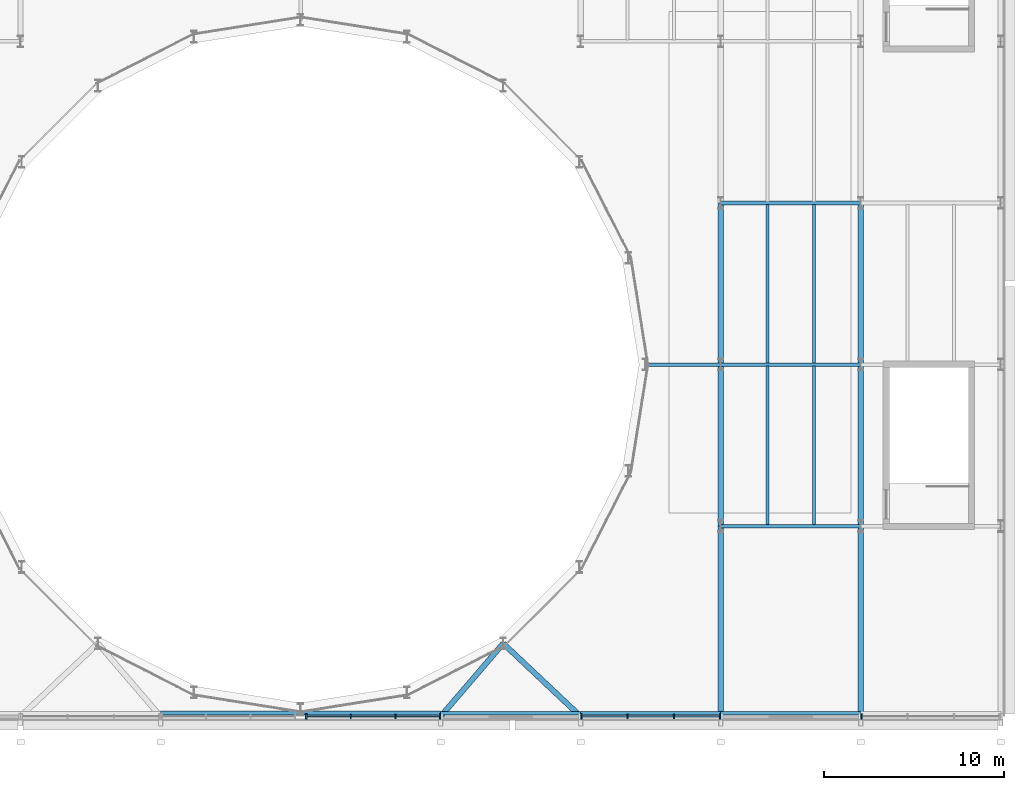
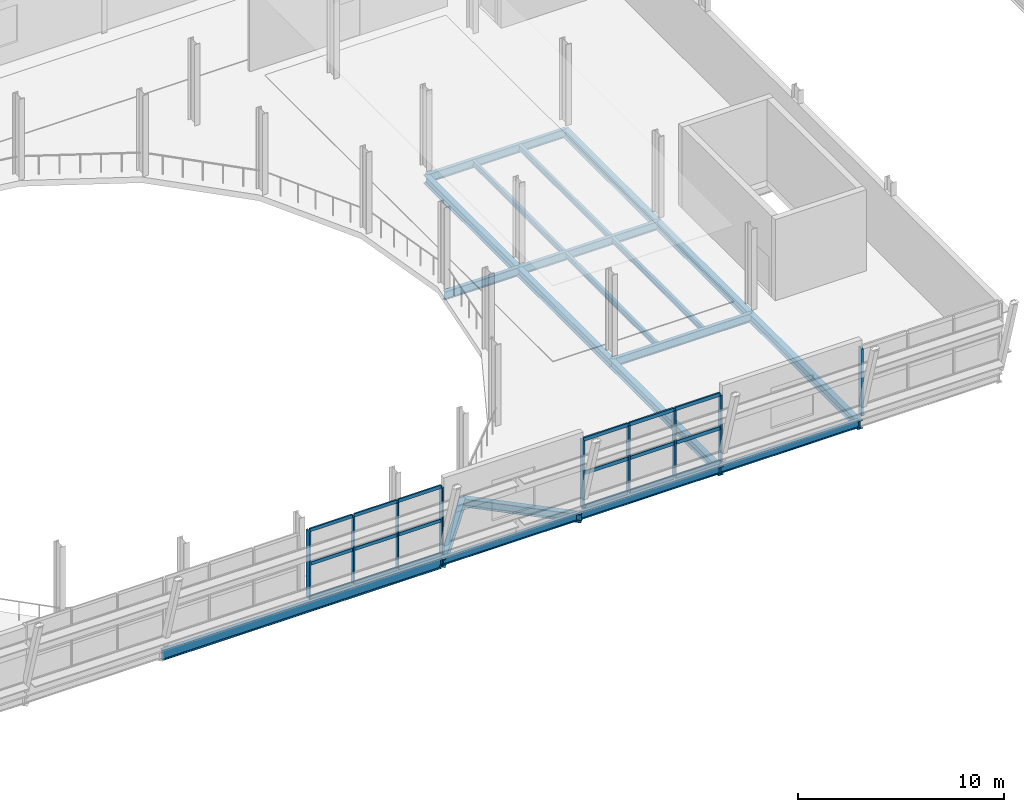
# One storey, part 19 of 63: 27 members, 20 beams, 3 elements without a shape of their own.
"""IFC4 building model written with IfcOpenShell, lengths in metres."""

from ifc_helpers import new_model, si_unit, direction, frame, origin, origin_2d, place, context, subcontext, project, spatial, rectangle, i_section, extrude, material, layer, layer_set, material_profile, profile_set, type_object, element, aggregate, save


model = new_model("IFC4")

# Units and contexts
model_context = context("Model", 3, precision=1e-05, world=origin(), true_north=direction((0.0, 1.0)))
body_context = subcontext(model_context, "Body", "Model", "MODEL_VIEW")
ifc_project = project(units=[si_unit("LENGTHUNIT", "METRE"), si_unit("AREAUNIT", "SQUARE_METRE"), si_unit("VOLUMEUNIT", "CUBIC_METRE"), si_unit("PLANEANGLEUNIT", "RADIAN"), si_unit("MASSUNIT", "GRAM", prefix="KILO")], contexts=[model_context])

# Site, building, storey
site_placement = place(None, origin())
site = spatial("IfcSite", under=ifc_project, at=site_placement, CompositionType="ELEMENT")
building_placement = place(site_placement, origin())
building = spatial("IfcBuilding", under=site, at=building_placement, Name="Sefraquen Railside Congress Hotel", CompositionType="ELEMENT")
storey_placement = place(building_placement, frame((0.0, 0.0, 11.39990234375)))
storey = spatial("IfcBuildingStorey", under=building, at=storey_placement, Name="L02", CompositionType="ELEMENT", Elevation=11.39990234375)

# Beams
ifc_material_1 = material(Name="Steel S355JR", Category="steel")
ifc_material_profile_1 = material_profile(ifc_material_1, i_section(OverallWidth=0.18994140625, OverallDepth=0.449951171875, WebThickness=0.009521484375, FlangeThickness=0.0146484375, FilletRadius=0.02099609375, at=origin_2d()), Name="IPE 450")
ifc_profile_set_1 = profile_set([ifc_material_profile_1], Name="Steel S355JR")
beam_type_1 = type_object("IfcBeamType", Name="TB-BM-450", PredefinedType="BEAM", material=ifc_profile_set_1)
for number, where, z_axis, x_axis, name in (
    (1, (72.0, 7.57080078125, -0.574951171875), (1.0, 0.0, 0.0), (0.0, 1.0, 0.0), "Congress leaning-hull south edge beam L02-06"),
    (2, (79.800048828125, 7.57080078125, -0.574951171875), (1.0, 0.0, 0.0), (0.0, 1.0, 0.0), "Congress leaning-hull south edge beam L02-07"),
):
    element("IfcBeam", number, at=place(storey_placement, frame(where, z_axis=z_axis, x_axis=x_axis)), inside=storey, type_object=beam_type_1, Name=name, PredefinedType="BEAM", context=body_context, shape_type="SweptSolid", body=[
        extrude(i_section(OverallWidth=0.18994140625, OverallDepth=0.449951171875, WebThickness=0.009521484375, FlangeThickness=0.0146484375, FilletRadius=0.02099609375, at=origin_2d()), origin(), (0.0, 0.0, 1.0), 7.800048828125),
    ])
beam_1_placement = place(storey_placement, frame((87.60009765625, 7.57080078125, -0.574951171875), z_axis=(1.0, 0.0, 0.0), x_axis=(0.0, 1.0, 0.0)))
element("IfcBeam", 3, at=beam_1_placement, inside=storey, type_object=beam_type_1, Name="Congress leaning-hull south edge beam L02-08", PredefinedType="BEAM", context=body_context, shape_type="SweptSolid", body=[
    extrude(i_section(OverallWidth=0.18994140625, OverallDepth=0.449951171875, WebThickness=0.009521484375, FlangeThickness=0.0146484375, FilletRadius=0.02099609375, at=origin_2d()), origin(), (0.0, 0.0, 1.0), 7.7998046875),
])
ifc_material_profile_2 = material_profile(ifc_material_1, i_section(OverallWidth=0.199951171875, OverallDepth=0.5, WebThickness=0.01025390625, FlangeThickness=0.01611328125, FilletRadius=0.02099609375, at=origin_2d()), Name="IPE 500")
ifc_profile_set_2 = profile_set([ifc_material_profile_2], Name="Steel S355JR")
beam_type_2 = type_object("IfcBeamType", Name="TB-BM-500", PredefinedType="BEAM", material=ifc_profile_set_2)
beam_2_placement = place(storey_placement, frame((87.60009765625, 18.0, -0.599853515625), z_axis=(1.0, 0.0, 0.0), x_axis=(0.0, 1.0, 0.0)))
element("IfcBeam", 4, at=beam_2_placement, inside=storey, type_object=beam_type_2, Name="Primary girder BM-L02-0682", PredefinedType="BEAM", context=body_context, shape_type="SweptSolid", body=[
    extrude(i_section(OverallWidth=0.199951171875, OverallDepth=0.5, WebThickness=0.01025390625, FlangeThickness=0.01611328125, FilletRadius=0.02099609375, at=origin_2d()), origin(), (0.0, 0.0, 1.0), 7.7998046875),
])
beam_3_placement = place(storey_placement, frame((83.39990234375, 27.0, -0.599853515625), z_axis=(1.0, 0.0, 0.0), x_axis=(0.0, 1.0, 0.0)))
element("IfcBeam", 5, at=beam_3_placement, inside=storey, type_object=beam_type_2, Name="Primary girder BM-L02-0692", PredefinedType="BEAM", context=body_context, shape_type="SweptSolid", body=[
    extrude(i_section(OverallWidth=0.199951171875, OverallDepth=0.5, WebThickness=0.01025390625, FlangeThickness=0.01611328125, FilletRadius=0.02099609375, at=origin_2d()), origin(), (0.0, 0.0, 1.0), 4.2001953125),
])
for number, where, z_axis, x_axis, name in (
    (6, (87.60009765625, 27.0, -0.599853515625), (1.0, 0.0, 0.0), (0.0, 1.0, 0.0), "Primary girder BM-L02-0693"),
    (7, (87.60009765625, 36.0, -0.599853515625), (1.0, 0.0, 0.0), (0.0, 1.0, 0.0), "Primary girder BM-L02-0697"),
):
    element("IfcBeam", number, at=place(storey_placement, frame(where, z_axis=z_axis, x_axis=x_axis)), inside=storey, type_object=beam_type_2, Name=name, PredefinedType="BEAM", context=body_context, shape_type="SweptSolid", body=[
        extrude(i_section(OverallWidth=0.199951171875, OverallDepth=0.5, WebThickness=0.01025390625, FlangeThickness=0.01611328125, FilletRadius=0.02099609375, at=origin_2d()), origin(), (0.0, 0.0, 1.0), 7.7998046875),
    ])
ifc_material_profile_3 = material_profile(ifc_material_1, i_section(OverallWidth=0.300048828125, OverallDepth=0.489990234375, WebThickness=0.011962890625, FlangeThickness=0.02294921875, FilletRadius=0.027099609375, at=origin_2d()), Name="HEA 500")
ifc_profile_set_3 = profile_set([ifc_material_profile_3], Name="Steel S355JR")
beam_type_3 = type_object("IfcBeamType", Name="TB-GIR-500", PredefinedType="T_BEAM", material=ifc_profile_set_3)
for number, where, z_axis, x_axis, name in (
    (8, (87.60009765625, 18.0, -0.594970703125), (0.0, 1.0, 0.0), (-1.0, 0.0, 0.0), "Floor beam BM-L02-0907"),
    (9, (87.60009765625, 27.0, -0.594970703125), (0.0, 1.0, 0.0), (-1.0, 0.0, 0.0), "Floor beam BM-L02-0908"),
    (10, (95.39990234375, 18.0, -0.594970703125), (0.0, 1.0, 0.0), (-1.0, 0.0, 0.0), "Floor beam BM-L02-0915"),
    (11, (95.39990234375, 27.0, -0.594970703125), (0.0, 1.0, 0.0), (-1.0, 0.0, 0.0), "Floor beam BM-L02-0916"),
):
    element("IfcBeam", number, at=place(storey_placement, frame(where, z_axis=z_axis, x_axis=x_axis)), inside=storey, type_object=beam_type_3, Name=name, PredefinedType="T_BEAM", context=body_context, shape_type="SweptSolid", body=[
        extrude(i_section(OverallWidth=0.300048828125, OverallDepth=0.489990234375, WebThickness=0.011962890625, FlangeThickness=0.02294921875, FilletRadius=0.027099609375, at=origin_2d()), origin(), (0.0, 0.0, 1.0), 9.0),
    ])
beam_4_placement = place(storey_placement, frame((72.0, 7.400390625, -0.594970703125), z_axis=(0.650802635311, 0.759246949201, 0.0), x_axis=(-0.759246949201, 0.650802635311, 0.0)))
element("IfcBeam", 12, at=beam_4_placement, inside=storey, type_object=beam_type_3, Name="Congress leaning-hull diaphragm tie girder S-10 L02", PredefinedType="T_BEAM", context=body_context, shape_type="SweptSolid", body=[
    extrude(i_section(OverallWidth=0.300048828125, OverallDepth=0.489990234375, WebThickness=0.011962890625, FlangeThickness=0.02294921875, FilletRadius=0.027099609375, at=origin_2d()), origin(), (0.0, 0.0, 1.0), 5.35595703125),
])
beam_5_placement = place(storey_placement, frame((79.800048828125, 7.400390625, -0.594970703125), z_axis=(-0.727716240893, 0.68587832211, 0.0), x_axis=(-0.68587832211, -0.727716240893, 0.0)))
element("IfcBeam", 13, at=beam_5_placement, inside=storey, type_object=beam_type_3, Name="Congress leaning-hull diaphragm tie girder S-11 L02", PredefinedType="T_BEAM", context=body_context, shape_type="SweptSolid", body=[
    extrude(i_section(OverallWidth=0.300048828125, OverallDepth=0.489990234375, WebThickness=0.011962890625, FlangeThickness=0.02294921875, FilletRadius=0.027099609375, at=origin_2d()), origin(), (0.0, 0.0, 1.0), 5.9287109375),
])
for number, where, z_axis, x_axis, name in (
    (14, (87.60009765625, 7.400390625, -0.594970703125), (0.0, 1.0, 0.0), (-1.0, 0.0, 0.0), "Congress leaning-hull diaphragm tie girder S-12 L02"),
    (15, (95.39990234375, 7.400390625, -0.594970703125), (0.0, 1.0, 0.0), (-1.0, 0.0, 0.0), "Congress leaning-hull diaphragm tie girder S-13 L02"),
):
    element("IfcBeam", number, at=place(storey_placement, frame(where, z_axis=z_axis, x_axis=x_axis)), inside=storey, type_object=beam_type_3, Name=name, PredefinedType="T_BEAM", context=body_context, shape_type="SweptSolid", body=[
        extrude(i_section(OverallWidth=0.300048828125, OverallDepth=0.489990234375, WebThickness=0.011962890625, FlangeThickness=0.02294921875, FilletRadius=0.027099609375, at=origin_2d()), origin(), (0.0, 0.0, 1.0), 10.599609375),
    ])
ifc_material_profile_4 = material_profile(ifc_material_1, i_section(OverallWidth=0.219970703125, OverallDepth=0.60009765625, WebThickness=0.011962890625, FlangeThickness=0.01904296875, FilletRadius=0.02392578125, at=origin_2d()), Name="IPE 600")
ifc_profile_set_4 = profile_set([ifc_material_profile_4], Name="Steel S355JR")
beam_type_4 = type_object("IfcBeamType", Name="TB-GIR-600", PredefinedType="T_BEAM", material=ifc_profile_set_4)
beam_6_placement = place(storey_placement, frame((56.39990234375, 7.593017578125, -0.64990234375), z_axis=(1.0, 0.0, 0.0), x_axis=(0.0, 1.0, 0.0)))
element("IfcBeam", 16, at=beam_6_placement, inside=storey, type_object=beam_type_4, Name="Congress leaning-hull south edge beam L02-05", PredefinedType="T_BEAM", context=body_context, shape_type="SweptSolid", body=[
    extrude(i_section(OverallWidth=0.219970703125, OverallDepth=0.60009765625, WebThickness=0.011962890625, FlangeThickness=0.01904296875, FilletRadius=0.02392578125, at=origin_2d()), origin(), (0.0, 0.0, 1.0), 15.60009765625),
])
ifc_material_profile_5 = material_profile(ifc_material_1, i_section(OverallWidth=0.159912109375, OverallDepth=0.330078125, WebThickness=0.007568359375, FlangeThickness=0.011474609375, FilletRadius=0.01806640625, at=origin_2d()), Name="IPE 330")
ifc_profile_set_5 = profile_set([ifc_material_profile_5], Name="Steel S355JR")
beam_type_5 = type_object("IfcBeamType", Name="TB-JST-330", PredefinedType="JOIST", material=ifc_profile_set_5)
for number, where, z_axis, x_axis, name in (
    (17, (90.199951171875, 18.080078125, -0.514892578125), (0.0, 1.0, 0.0), (-1.0, 0.0, 0.0), "Composite floor joist BM-L02-J0538"),
    (18, (92.800048828125, 18.080078125, -0.514892578125), (0.0, 1.0, 0.0), (-1.0, 0.0, 0.0), "Composite floor joist BM-L02-J0539"),
    (19, (90.199951171875, 27.080078125, -0.514892578125), (0.0, 1.0, 0.0), (-1.0, 0.0, 0.0), "Composite floor joist BM-L02-J0540"),
    (20, (92.800048828125, 27.080078125, -0.514892578125), (0.0, 1.0, 0.0), (-1.0, 0.0, 0.0), "Composite floor joist BM-L02-J0541"),
):
    element("IfcBeam", number, at=place(storey_placement, frame(where, z_axis=z_axis, x_axis=x_axis)), inside=storey, type_object=beam_type_5, Name=name, PredefinedType="JOIST", context=body_context, shape_type="SweptSolid", body=[
        extrude(i_section(OverallWidth=0.159912109375, OverallDepth=0.330078125, WebThickness=0.007568359375, FlangeThickness=0.011474609375, FilletRadius=0.01806640625, at=origin_2d()), origin(), (0.0, 0.0, 1.0), 8.83984375),
    ])

# Curtain wall, members
ifc_material_2 = material(Name="Thermally broken anodised aluminium and low-E double glazing", Category="aluminium")
ifc_layer_1 = layer(ifc_material_2, 0.199951171875)
ifc_layer_set_1 = layer_set([ifc_layer_1], Name="Thermally broken anodised aluminium and low-E double glazing")
curtain_wall_type_1 = type_object("IfcCurtainWallType", Name="TCW-UCW-22", PredefinedType="USERDEFINED", material=ifc_layer_set_1)
curtain_wall_1_placement = place(storey_placement, origin())
curtain_wall_1 = element("IfcCurtainWall", 21, at=curtain_wall_1_placement, inside=storey, type_object=curtain_wall_type_1, Name="Congress leaning south curtain wall L02-6", ObjectType="UNITISED CURTAIN WALL", PredefinedType="USERDEFINED")
ifc_material_3 = material(Name="Thermally broken anodised aluminium 6063-T6", Category="aluminium")
ifc_material_profile_6 = material_profile(ifc_material_3, rectangle(XDim=0.080078125, YDim=0.239990234375, at=origin_2d()), Name="CWM 80x240")
ifc_profile_set_6 = profile_set([ifc_material_profile_6], Name="Thermally broken anodised aluminium 6063-T6")
member_type_1 = type_object("IfcMemberType", Name="TM-CWM-05", PredefinedType="MULLION", material=ifc_profile_set_6)
member_1_placement = place(storey_placement, frame((66.993408203125, 7.400390625, 0.0), z_axis=(0.0, 0.0, 1.0), x_axis=(1.0, 0.0, 0.0)))
member_1 = element("IfcMember", 22, at=member_1_placement, type_object=member_type_1, Name="CW-L02-054 mullion 2", PredefinedType="MULLION", context=body_context, shape_type="SweptSolid", body=[
    extrude(rectangle(XDim=0.080078125, YDim=0.239990234375, at=origin_2d()), origin(), (0.0, 0.0, 1.0), 3.989990234375),
])
member_2_placement = place(storey_placement, frame((69.476806640625, 7.400390625, 0.0), z_axis=(0.0, 0.0, 1.0), x_axis=(1.0, 0.0, 0.0)))
member_2 = element("IfcMember", 23, at=member_2_placement, type_object=member_type_1, Name="CW-L02-054 mullion 3", PredefinedType="MULLION", context=body_context, shape_type="SweptSolid", body=[
    extrude(rectangle(XDim=0.080078125, YDim=0.239990234375, at=origin_2d()), origin(), (0.0, 0.0, 1.0), 3.989990234375),
])

ifc_layer_2 = layer(ifc_material_2, 0.199951171875)
ifc_layer_set_2 = layer_set([ifc_layer_2], Name="Thermally broken anodised aluminium and low-E double glazing")
curtain_wall_type_2 = type_object("IfcCurtainWallType", Name="TCW-UCW-23", PredefinedType="USERDEFINED", material=ifc_layer_set_2)
curtain_wall_2_placement = place(storey_placement, origin())
curtain_wall_2 = element("IfcCurtainWall", 24, at=curtain_wall_2_placement, inside=storey, type_object=curtain_wall_type_2, Name="Congress leaning south curtain wall L02-8", ObjectType="UNITISED CURTAIN WALL", PredefinedType="USERDEFINED")
ifc_material_profile_7 = material_profile(ifc_material_3, rectangle(XDim=0.0849609375, YDim=0.260009765625, at=origin_2d()), Name="CWM 85x260")
ifc_profile_set_7 = profile_set([ifc_material_profile_7], Name="Thermally broken anodised aluminium 6063-T6")
member_type_2 = type_object("IfcMemberType", Name="TM-CWM-06", PredefinedType="MULLION", material=ifc_profile_set_7)
member_3_placement = place(storey_placement, frame((82.413330078125, 7.400390625, 0.0), z_axis=(0.0, 0.0, 1.0), x_axis=(1.0, 0.0, 0.0)))
member_3 = element("IfcMember", 25, at=member_3_placement, type_object=member_type_2, Name="CW-L02-055 mullion 2", PredefinedType="MULLION", context=body_context, shape_type="SweptSolid", body=[
    extrude(rectangle(XDim=0.0849609375, YDim=0.260009765625, at=origin_2d()), origin(), (0.0, 0.0, 1.0), 3.989990234375),
])
member_4_placement = place(storey_placement, frame((84.98681640625, 7.400390625, 0.0), z_axis=(0.0, 0.0, 1.0), x_axis=(1.0, 0.0, 0.0)))
member_4 = element("IfcMember", 26, at=member_4_placement, type_object=member_type_2, Name="CW-L02-055 mullion 3", PredefinedType="MULLION", context=body_context, shape_type="SweptSolid", body=[
    extrude(rectangle(XDim=0.0849609375, YDim=0.260009765625, at=origin_2d()), origin(), (0.0, 0.0, 1.0), 3.989990234375),
])

# Member
ifc_material_profile_8 = material_profile(ifc_material_3, rectangle(XDim=0.094970703125, YDim=0.300048828125, at=origin_2d()), Name="CWM 95x300")
ifc_profile_set_8 = profile_set([ifc_material_profile_8], Name="Thermally broken anodised aluminium 6063-T6")
member_type_3 = type_object("IfcMemberType", Name="TM-CWM-08", PredefinedType="MULLION", material=ifc_profile_set_8)
member_5_placement = place(storey_placement, frame((64.510009765625, 7.400390625, 0.0), z_axis=(0.0, 0.0, 1.0), x_axis=(1.0, 0.0, 0.0)))
member_5 = element("IfcMember", 27, at=member_5_placement, type_object=member_type_3, Name="CW-L02-054 mullion 1", PredefinedType="MULLION", context=body_context, shape_type="SweptSolid", body=[
    extrude(rectangle(XDim=0.094970703125, YDim=0.300048828125, at=origin_2d()), origin(), (0.0, 0.0, 1.0), 3.989990234375),
])

member_6_placement = place(storey_placement, frame((71.9599609375, 7.400390625, 0.0), z_axis=(0.0, 0.0, 1.0), x_axis=(1.0, 0.0, 0.0)))
member_6 = element("IfcMember", 28, at=member_6_placement, type_object=member_type_3, Name="CW-L02-054 mullion 4", PredefinedType="MULLION", context=body_context, shape_type="SweptSolid", body=[
    extrude(rectangle(XDim=0.094970703125, YDim=0.300048828125, at=origin_2d()), origin(), (0.0, 0.0, 1.0), 3.989990234375),
])

member_7_placement = place(storey_placement, frame((79.840087890625, 7.400390625, 0.0), z_axis=(0.0, 0.0, 1.0), x_axis=(1.0, 0.0, 0.0)))
member_7 = element("IfcMember", 29, at=member_7_placement, type_object=member_type_3, Name="CW-L02-055 mullion 1", PredefinedType="MULLION", context=body_context, shape_type="SweptSolid", body=[
    extrude(rectangle(XDim=0.094970703125, YDim=0.300048828125, at=origin_2d()), origin(), (0.0, 0.0, 1.0), 3.989990234375),
])

member_8_placement = place(storey_placement, frame((87.56005859375, 7.400390625, 0.0), z_axis=(0.0, 0.0, 1.0), x_axis=(1.0, 0.0, 0.0)))
member_8 = element("IfcMember", 30, at=member_8_placement, type_object=member_type_3, Name="CW-L02-055 mullion 4", PredefinedType="MULLION", context=body_context, shape_type="SweptSolid", body=[
    extrude(rectangle(XDim=0.094970703125, YDim=0.300048828125, at=origin_2d()), origin(), (0.0, 0.0, 1.0), 3.989990234375),
])

# Curtain wall, member
ifc_layer_3 = layer(ifc_material_2, 0.199951171875)
ifc_layer_set_3 = layer_set([ifc_layer_3], Name="Thermally broken anodised aluminium and low-E double glazing")
curtain_wall_type_3 = type_object("IfcCurtainWallType", Name="TCW-UCW-24", PredefinedType="USERDEFINED", material=ifc_layer_set_3)
curtain_wall_3_placement = place(storey_placement, origin())
curtain_wall_3 = element("IfcCurtainWall", 31, at=curtain_wall_3_placement, inside=storey, type_object=curtain_wall_type_3, Name="Congress leaning south curtain wall L02-10", ObjectType="UNITISED CURTAIN WALL", PredefinedType="USERDEFINED")
member_9_placement = place(storey_placement, frame((95.43994140625, 7.400390625, 0.0), z_axis=(0.0, 0.0, 1.0), x_axis=(1.0, 0.0, 0.0)))
member_9 = element("IfcMember", 32, at=member_9_placement, type_object=member_type_3, Name="CW-L02-056 mullion 1", PredefinedType="MULLION", context=body_context, shape_type="SweptSolid", body=[
    extrude(rectangle(XDim=0.094970703125, YDim=0.300048828125, at=origin_2d()), origin(), (0.0, 0.0, 1.0), 3.989990234375),
])
aggregate(curtain_wall_3, [member_9])

# Member
ifc_material_profile_9 = material_profile(ifc_material_3, rectangle(XDim=0.0849609375, YDim=0.195068359375, at=origin_2d()), Name="CWT 85x195")
ifc_profile_set_9 = profile_set([ifc_material_profile_9], Name="Thermally broken anodised aluminium 6063-T6")
member_type_4 = type_object("IfcMemberType", Name="TM-CWT-06", PredefinedType="USERDEFINED", material=ifc_profile_set_9)
member_10_placement = place(storey_placement, frame((64.554931640625, 7.400390625, 0.0), z_axis=(1.0, 0.0, 0.0), x_axis=(0.0, 1.0, 0.0)))
member_10 = element("IfcMember", 33, at=member_10_placement, type_object=member_type_4, Name="CW-L02-054 transom 1.1", ObjectType="TRANSOM", PredefinedType="USERDEFINED", context=body_context, shape_type="SweptSolid", body=[
    extrude(rectangle(XDim=0.0849609375, YDim=0.195068359375, at=origin_2d()), origin(), (0.0, 0.0, 1.0), 2.393310546875),
])

member_11_placement = place(storey_placement, frame((67.038330078125, 7.400390625, 0.0), z_axis=(1.0, 0.0, 0.0), x_axis=(0.0, 1.0, 0.0)))
member_11 = element("IfcMember", 34, at=member_11_placement, type_object=member_type_4, Name="CW-L02-054 transom 1.2", ObjectType="TRANSOM", PredefinedType="USERDEFINED", context=body_context, shape_type="SweptSolid", body=[
    extrude(rectangle(XDim=0.0849609375, YDim=0.195068359375, at=origin_2d()), origin(), (0.0, 0.0, 1.0), 2.393310546875),
])

member_12_placement = place(storey_placement, frame((69.521728515625, 7.400390625, 0.0), z_axis=(1.0, 0.0, 0.0), x_axis=(0.0, 1.0, 0.0)))
member_12 = element("IfcMember", 35, at=member_12_placement, type_object=member_type_4, Name="CW-L02-054 transom 1.3", ObjectType="TRANSOM", PredefinedType="USERDEFINED", context=body_context, shape_type="SweptSolid", body=[
    extrude(rectangle(XDim=0.0849609375, YDim=0.195068359375, at=origin_2d()), origin(), (0.0, 0.0, 1.0), 2.393310546875),
])

member_13_placement = place(storey_placement, frame((64.554931640625, 7.400390625, 1.9951171875), z_axis=(1.0, 0.0, 0.0), x_axis=(0.0, 1.0, 0.0)))
member_13 = element("IfcMember", 36, at=member_13_placement, type_object=member_type_4, Name="CW-L02-054 transom 2.1", ObjectType="TRANSOM", PredefinedType="USERDEFINED", context=body_context, shape_type="SweptSolid", body=[
    extrude(rectangle(XDim=0.0849609375, YDim=0.195068359375, at=origin_2d()), origin(), (0.0, 0.0, 1.0), 2.393310546875),
])

member_14_placement = place(storey_placement, frame((67.038330078125, 7.400390625, 1.9951171875), z_axis=(1.0, 0.0, 0.0), x_axis=(0.0, 1.0, 0.0)))
member_14 = element("IfcMember", 37, at=member_14_placement, type_object=member_type_4, Name="CW-L02-054 transom 2.2", ObjectType="TRANSOM", PredefinedType="USERDEFINED", context=body_context, shape_type="SweptSolid", body=[
    extrude(rectangle(XDim=0.0849609375, YDim=0.195068359375, at=origin_2d()), origin(), (0.0, 0.0, 1.0), 2.393310546875),
])

member_15_placement = place(storey_placement, frame((69.521728515625, 7.400390625, 1.9951171875), z_axis=(1.0, 0.0, 0.0), x_axis=(0.0, 1.0, 0.0)))
member_15 = element("IfcMember", 38, at=member_15_placement, type_object=member_type_4, Name="CW-L02-054 transom 2.3", ObjectType="TRANSOM", PredefinedType="USERDEFINED", context=body_context, shape_type="SweptSolid", body=[
    extrude(rectangle(XDim=0.0849609375, YDim=0.195068359375, at=origin_2d()), origin(), (0.0, 0.0, 1.0), 2.393310546875),
])

member_16_placement = place(storey_placement, frame((64.554931640625, 7.400390625, 3.989990234375), z_axis=(1.0, 0.0, 0.0), x_axis=(0.0, 1.0, 0.0)))
member_16 = element("IfcMember", 39, at=member_16_placement, type_object=member_type_4, Name="CW-L02-054 transom 3.1", ObjectType="TRANSOM", PredefinedType="USERDEFINED", context=body_context, shape_type="SweptSolid", body=[
    extrude(rectangle(XDim=0.0849609375, YDim=0.195068359375, at=origin_2d()), origin(), (0.0, 0.0, 1.0), 2.393310546875),
])

member_17_placement = place(storey_placement, frame((67.038330078125, 7.400390625, 3.989990234375), z_axis=(1.0, 0.0, 0.0), x_axis=(0.0, 1.0, 0.0)))
member_17 = element("IfcMember", 40, at=member_17_placement, type_object=member_type_4, Name="CW-L02-054 transom 3.2", ObjectType="TRANSOM", PredefinedType="USERDEFINED", context=body_context, shape_type="SweptSolid", body=[
    extrude(rectangle(XDim=0.0849609375, YDim=0.195068359375, at=origin_2d()), origin(), (0.0, 0.0, 1.0), 2.393310546875),
])

member_18_placement = place(storey_placement, frame((69.521728515625, 7.400390625, 3.989990234375), z_axis=(1.0, 0.0, 0.0), x_axis=(0.0, 1.0, 0.0)))
member_18 = element("IfcMember", 41, at=member_18_placement, type_object=member_type_4, Name="CW-L02-054 transom 3.3", ObjectType="TRANSOM", PredefinedType="USERDEFINED", context=body_context, shape_type="SweptSolid", body=[
    extrude(rectangle(XDim=0.0849609375, YDim=0.195068359375, at=origin_2d()), origin(), (0.0, 0.0, 1.0), 2.393310546875),
])

aggregate(curtain_wall_1, [member_5, member_1, member_2, member_6, member_10, member_11, member_12, member_13, member_14, member_15, member_16, member_17, member_18])

ifc_material_profile_10 = material_profile(ifc_material_3, rectangle(XDim=0.090087890625, YDim=0.2099609375, at=origin_2d()), Name="CWT 90x210")
ifc_profile_set_10 = profile_set([ifc_material_profile_10], Name="Thermally broken anodised aluminium 6063-T6")
member_type_5 = type_object("IfcMemberType", Name="TM-CWT-07", PredefinedType="USERDEFINED", material=ifc_profile_set_10)
member_19_placement = place(storey_placement, frame((79.885009765625, 7.400390625, 0.0), z_axis=(1.0, 0.0, 0.0), x_axis=(0.0, 1.0, 0.0)))
member_19 = element("IfcMember", 42, at=member_19_placement, type_object=member_type_5, Name="CW-L02-055 transom 1.1", ObjectType="TRANSOM", PredefinedType="USERDEFINED", context=body_context, shape_type="SweptSolid", body=[
    extrude(rectangle(XDim=0.090087890625, YDim=0.2099609375, at=origin_2d()), origin(), (0.0, 0.0, 1.0), 2.4833984375),
])

member_20_placement = place(storey_placement, frame((82.458251953125, 7.400390625, 0.0), z_axis=(1.0, 0.0, 0.0), x_axis=(0.0, 1.0, 0.0)))
member_20 = element("IfcMember", 43, at=member_20_placement, type_object=member_type_5, Name="CW-L02-055 transom 1.2", ObjectType="TRANSOM", PredefinedType="USERDEFINED", context=body_context, shape_type="SweptSolid", body=[
    extrude(rectangle(XDim=0.090087890625, YDim=0.2099609375, at=origin_2d()), origin(), (0.0, 0.0, 1.0), 2.4833984375),
])

member_21_placement = place(storey_placement, frame((85.03173828125, 7.400390625, 0.0), z_axis=(1.0, 0.0, 0.0), x_axis=(0.0, 1.0, 0.0)))
member_21 = element("IfcMember", 44, at=member_21_placement, type_object=member_type_5, Name="CW-L02-055 transom 1.3", ObjectType="TRANSOM", PredefinedType="USERDEFINED", context=body_context, shape_type="SweptSolid", body=[
    extrude(rectangle(XDim=0.090087890625, YDim=0.2099609375, at=origin_2d()), origin(), (0.0, 0.0, 1.0), 2.483154296875),
])

member_22_placement = place(storey_placement, frame((79.885009765625, 7.400390625, 1.9951171875), z_axis=(1.0, 0.0, 0.0), x_axis=(0.0, 1.0, 0.0)))
member_22 = element("IfcMember", 45, at=member_22_placement, type_object=member_type_5, Name="CW-L02-055 transom 2.1", ObjectType="TRANSOM", PredefinedType="USERDEFINED", context=body_context, shape_type="SweptSolid", body=[
    extrude(rectangle(XDim=0.090087890625, YDim=0.2099609375, at=origin_2d()), origin(), (0.0, 0.0, 1.0), 2.4833984375),
])

member_23_placement = place(storey_placement, frame((82.458251953125, 7.400390625, 1.9951171875), z_axis=(1.0, 0.0, 0.0), x_axis=(0.0, 1.0, 0.0)))
member_23 = element("IfcMember", 46, at=member_23_placement, type_object=member_type_5, Name="CW-L02-055 transom 2.2", ObjectType="TRANSOM", PredefinedType="USERDEFINED", context=body_context, shape_type="SweptSolid", body=[
    extrude(rectangle(XDim=0.090087890625, YDim=0.2099609375, at=origin_2d()), origin(), (0.0, 0.0, 1.0), 2.4833984375),
])

member_24_placement = place(storey_placement, frame((85.03173828125, 7.400390625, 1.9951171875), z_axis=(1.0, 0.0, 0.0), x_axis=(0.0, 1.0, 0.0)))
member_24 = element("IfcMember", 47, at=member_24_placement, type_object=member_type_5, Name="CW-L02-055 transom 2.3", ObjectType="TRANSOM", PredefinedType="USERDEFINED", context=body_context, shape_type="SweptSolid", body=[
    extrude(rectangle(XDim=0.090087890625, YDim=0.2099609375, at=origin_2d()), origin(), (0.0, 0.0, 1.0), 2.483154296875),
])

member_25_placement = place(storey_placement, frame((79.885009765625, 7.400390625, 3.989990234375), z_axis=(1.0, 0.0, 0.0), x_axis=(0.0, 1.0, 0.0)))
member_25 = element("IfcMember", 48, at=member_25_placement, type_object=member_type_5, Name="CW-L02-055 transom 3.1", ObjectType="TRANSOM", PredefinedType="USERDEFINED", context=body_context, shape_type="SweptSolid", body=[
    extrude(rectangle(XDim=0.090087890625, YDim=0.2099609375, at=origin_2d()), origin(), (0.0, 0.0, 1.0), 2.4833984375),
])

member_26_placement = place(storey_placement, frame((82.458251953125, 7.400390625, 3.989990234375), z_axis=(1.0, 0.0, 0.0), x_axis=(0.0, 1.0, 0.0)))
member_26 = element("IfcMember", 49, at=member_26_placement, type_object=member_type_5, Name="CW-L02-055 transom 3.2", ObjectType="TRANSOM", PredefinedType="USERDEFINED", context=body_context, shape_type="SweptSolid", body=[
    extrude(rectangle(XDim=0.090087890625, YDim=0.2099609375, at=origin_2d()), origin(), (0.0, 0.0, 1.0), 2.4833984375),
])

member_27_placement = place(storey_placement, frame((85.03173828125, 7.400390625, 3.989990234375), z_axis=(1.0, 0.0, 0.0), x_axis=(0.0, 1.0, 0.0)))
member_27 = element("IfcMember", 50, at=member_27_placement, type_object=member_type_5, Name="CW-L02-055 transom 3.3", ObjectType="TRANSOM", PredefinedType="USERDEFINED", context=body_context, shape_type="SweptSolid", body=[
    extrude(rectangle(XDim=0.090087890625, YDim=0.2099609375, at=origin_2d()), origin(), (0.0, 0.0, 1.0), 2.483154296875),
])

aggregate(curtain_wall_2, [member_7, member_3, member_4, member_8, member_19, member_20, member_21, member_22, member_23, member_24, member_25, member_26, member_27])

save(model, "model.ifc")
